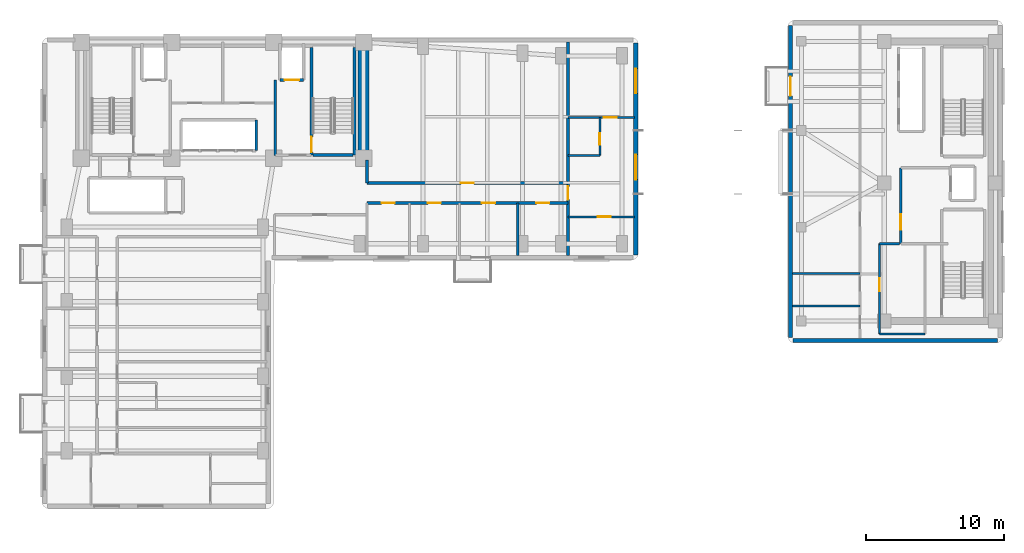
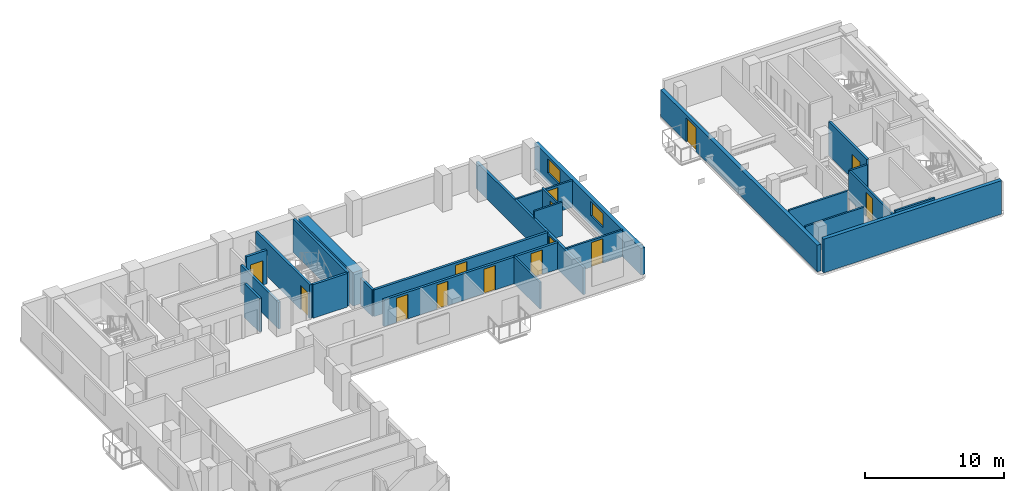
# One storey, part 6 of 11: 25 walls, 14 doors, 2 windows, 16 openings.
"""IFC4 building model written with IfcOpenShell, lengths in metres."""

import ifcopenshell
import ifcopenshell.guid

model = None  # the IFC model being written
_history = None  # IfcOwnerHistory: only IFC2X3 demands one
_inside = {}  # id of a spatial element -> (the spatial element, [elements in it])
_under = {}  # id of a project, library or spatial element -> (it, [spatial elements below it])
_declared = {}  # id of a project -> (the project, [libraries it declares])
_typed = {}  # id of a type object -> (the type object, [elements of that type])
_made_of = {}  # id of a material, layer set ... -> (it, [elements and type objects made of it])


def new_model(schema):
    """Start an empty IFC model of exactly this schema.

    Asked for "IFC4X3", IfcOpenShell would pick the latest addendum, in which some entities
    have other attributes; the version numbers below select the first issue.
    IFC2X3 requires an IfcOwnerHistory on every rooted entity: one is made here for all.
    """
    global model, _history
    if schema == "IFC4X3":
        model = ifcopenshell.file(schema_version=(4, 3, 0, 0))
    else:
        model = ifcopenshell.file(schema=schema)
    _inside.clear()
    _under.clear()
    _declared.clear()
    _typed.clear()
    _made_of.clear()
    _history = None
    if model.schema == "IFC2X3":
        org = make("IfcOrganization", Name="unknown")
        user = make(
            "IfcPersonAndOrganization",
            ThePerson=make("IfcPerson", FamilyName="unknown"),
            TheOrganization=org,
        )
        app = make(
            "IfcApplication",
            ApplicationDeveloper=org,
            Version="unknown",
            ApplicationFullName="unknown",
            ApplicationIdentifier="unknown",
        )
        _history = make(
            "IfcOwnerHistory",
            OwningUser=user,
            OwningApplication=app,
            ChangeAction="ADDED",
            CreationDate=0,
        )
    return model


def make(cls, **values):
    """One entity of the class cls with the attributes given. An attribute that is None is left unset."""
    return model.create_entity(
        cls, **{name: value for name, value in values.items() if value is not None}
    )


def rooted(cls, **values):
    """An entity with a GlobalId (a new one), such as an element, a storey or a relation."""
    return make(cls, GlobalId=ifcopenshell.guid.new(), OwnerHistory=_history, **values)


def si_unit(unit_type, name, prefix=None):
    """IfcSIUnit, for example si_unit("LENGTHUNIT", "METRE", prefix="MILLI")."""
    return make("IfcSIUnit", UnitType=unit_type, Prefix=prefix, Name=name)


def assignment(units):
    """IfcUnitAssignment: the units of a project."""
    return None if units is None else make("IfcUnitAssignment", Units=units)


def point(xyz):
    """IfcCartesianPoint."""
    return None if xyz is None else make("IfcCartesianPoint", Coordinates=xyz)


def direction(xyz):
    """IfcDirection."""
    return None if xyz is None else make("IfcDirection", DirectionRatios=xyz)


def frame(location, z_axis=None, x_axis=None):
    """IfcAxis2Placement3D, a coordinate frame: its origin and axes. An axis left out is left unset."""
    return make(
        "IfcAxis2Placement3D",
        Location=point(location),
        Axis=direction(z_axis),
        RefDirection=direction(x_axis),
    )


def frame_2d(location, x_axis=None):
    """IfcAxis2Placement2D, a coordinate frame in the plane: its origin and x axis."""
    return make(
        "IfcAxis2Placement2D", Location=point(location), RefDirection=direction(x_axis)
    )


def origin():
    """The frame at (0, 0, 0) with its axes left unset."""
    return frame((0.0, 0.0, 0.0))


def place(relative_to, where):
    """IfcLocalPlacement: puts the frame where relative to a parent placement (None: the world)."""
    return make(
        "IfcLocalPlacement", PlacementRelTo=relative_to, RelativePlacement=where
    )


def context(
    kind, dimensions, precision=None, world=None, true_north=None, identifier=None
):
    """IfcGeometricRepresentationContext, for example the 3D "Model" context."""
    return make(
        "IfcGeometricRepresentationContext",
        ContextIdentifier=identifier,
        ContextType=kind,
        CoordinateSpaceDimension=dimensions,
        Precision=precision,
        WorldCoordinateSystem=world,
        TrueNorth=true_north,
    )


def subcontext(parent, identifier, kind, view, scale=None):
    """IfcGeometricRepresentationSubContext, for example "Body" below "Model"."""
    return make(
        "IfcGeometricRepresentationSubContext",
        ContextIdentifier=identifier,
        ContextType=kind,
        ParentContext=parent,
        TargetScale=scale,
        TargetView=view,
    )


def project(units=None, contexts=None):
    """IfcProject with its units and contexts."""
    return rooted(
        "IfcProject",
        Name="project",
        RepresentationContexts=contexts,
        UnitsInContext=assignment(units),
    )


def spatial(cls, under=None, at=None, **own):
    """A site, building, storey or space (cls), placed at a placement, below another one or the project."""
    s = rooted(cls, ObjectPlacement=at, **own)
    if under is not None:
        _under.setdefault(under.id(), (under, []))[1].append(s)
    return s


def profile(cls, at=None, kind="AREA", **sizes):
    """A parametric profile (cls). Its sizes go by their IFC names, for example OverallWidth=200.0."""
    return make(cls, ProfileType=kind, Position=at, **sizes)


def rectangle(**sizes):
    """IfcRectangleProfileDef."""
    return profile("IfcRectangleProfileDef", **sizes)


def extrude(swept, where, along, depth):
    """IfcExtrudedAreaSolid: the profile swept, set in the frame where, extruded along a direction by depth."""
    return make(
        "IfcExtrudedAreaSolid",
        SweptArea=swept,
        Position=where,
        ExtrudedDirection=direction(along),
        Depth=depth,
    )


def shape(context_of_items, identifier, shape_type, items):
    """IfcShapeRepresentation: the items that make up one representation, for example the "Body"."""
    return make(
        "IfcShapeRepresentation",
        ContextOfItems=context_of_items,
        RepresentationIdentifier=identifier,
        RepresentationType=shape_type,
        Items=items,
    )


def material(Name=None, Category=None):
    """IfcMaterial."""
    return make("IfcMaterial", Name=Name, Category=Category)


def layer(
    of_material, thickness, ventilated=None, Name=None, Category=None, Priority=None
):
    """IfcMaterialLayer: one layer of a wall or slab, of a material (None: an air gap)."""
    return make(
        "IfcMaterialLayer",
        Material=of_material,
        LayerThickness=thickness,
        IsVentilated=ventilated,
        Name=Name,
        Category=Category,
        Priority=Priority,
    )


def layer_set(layers, Name=None):
    """IfcMaterialLayerSet."""
    return make("IfcMaterialLayerSet", MaterialLayers=layers, LayerSetName=Name)


def made_of(thing, what):
    """Note that an element or type object is made of a material, layer set ...; save() writes the relation."""
    if what is not None:
        _made_of.setdefault(what.id(), (what, []))[1].append(thing)
    return thing


def type_object(cls, material=None, **own):
    """A type object (cls), such as IfcWallType, which elements share."""
    return made_of(rooted(cls, **own), material)


def element(
    cls,
    number,
    at=None,
    inside=None,
    cuts=None,
    type_object=None,
    material=None,
    context=None,
    identifier="Body",
    shape_type=None,
    held_by="IfcProductDefinitionShape",
    body=None,
    shapes=None,
    **own,
):
    """One element of the class cls, such as IfcWall. Its Tag is "e" and its number.

    at: its placement. inside: the storey or other place that contains it. cuts: it is an
    opening in that element (IfcRelVoidsElement). A single representation is given by context,
    identifier, shape_type and body (its items); several are given by shapes. held_by: the class
    of the entity that holds the representations. save() writes the other relations.
    """
    e = rooted(cls, Tag="e%d" % number, ObjectPlacement=at, **own)
    if body is not None:
        shapes = [shape(context, identifier, shape_type, body)]
    if shapes is not None:
        e.Representation = make(held_by, Representations=shapes)
    if inside is not None:
        _inside.setdefault(inside.id(), (inside, []))[1].append(e)
    if cuts is not None:
        rooted(
            "IfcRelVoidsElement", RelatingBuildingElement=cuts, RelatedOpeningElement=e
        )
    if type_object is not None:
        _typed.setdefault(type_object.id(), (type_object, []))[1].append(e)
    return made_of(e, material)


def fill(opening, filler):
    """IfcRelFillsElement: the door or window that sits in an opening."""
    return rooted(
        "IfcRelFillsElement",
        RelatingOpeningElement=opening,
        RelatedBuildingElement=filler,
    )


def aggregate(whole, parts):
    """IfcRelAggregates: a whole, such as a stair, and the parts it consists of."""
    return rooted("IfcRelAggregates", RelatingObject=whole, RelatedObjects=parts)


def save(model, path):
    """Write the relations noted so far, then the file.

    IfcRelAggregates (storeys below a building ...), IfcRelContainedInSpatialStructure (elements
    in a storey), IfcRelDefinesByType, IfcRelAssociatesMaterial and IfcRelDeclares: one each for
    every whole, place, type object, material and project.
    """
    for whole, parts in _under.values():
        aggregate(whole, parts)
    for where, things in _inside.values():
        rooted(
            "IfcRelContainedInSpatialStructure",
            RelatedElements=things,
            RelatingStructure=where,
        )
    for kind, things in _typed.values():
        rooted("IfcRelDefinesByType", RelatedObjects=things, RelatingType=kind)
    for what, things in _made_of.values():
        rooted("IfcRelAssociatesMaterial", RelatedObjects=things, RelatingMaterial=what)
    for by, libraries in _declared.values():
        rooted("IfcRelDeclares", RelatingContext=by, RelatedDefinitions=libraries)
    model.write(path)


model = new_model("IFC4")

# Units and contexts
model_context = context("Model", 3, precision=1e-05, world=origin(), true_north=direction((0.0, 1.0)))
body_context = subcontext(model_context, "Body", "Model", "MODEL_VIEW")
ifc_project = project(units=[si_unit("LENGTHUNIT", "METRE"), si_unit("AREAUNIT", "SQUARE_METRE"), si_unit("VOLUMEUNIT", "CUBIC_METRE"), si_unit("PLANEANGLEUNIT", "RADIAN"), si_unit("MASSUNIT", "GRAM", prefix="KILO")], contexts=[model_context])

# Site, building, storey
site_placement = place(None, origin())
site = spatial("IfcSite", under=ifc_project, at=site_placement, CompositionType="ELEMENT")
building_placement = place(site_placement, origin())
building = spatial("IfcBuilding", under=site, at=building_placement, Name="Kuzgunbayir Cultural Tower", CompositionType="ELEMENT")
storey_placement = place(building_placement, frame((0.0, 0.0, 99.39990234375)))
storey = spatial("IfcBuildingStorey", under=building, at=storey_placement, Name="L28", CompositionType="ELEMENT", Elevation=99.39990234375)

# Wall
ifc_material_1 = material(Name="Concrete C60/75", Category="concrete")
ifc_layer_1 = layer(ifc_material_1, 0.800048828125)
ifc_layer_set_1 = layer_set([ifc_layer_1], Name="Concrete C60/75")
wall_type_1 = type_object("IfcWallType", Name="WAL-CORE-800", PredefinedType="SHEAR", material=ifc_layer_set_1)
wall_1_placement = place(storey_placement, frame((26.89990234375, 33.800048828125, 0.0), z_axis=(0.0, 0.0, 1.0), x_axis=(0.0, 1.0, 0.0)))
element("IfcWall", 1, at=wall_1_placement, inside=storey, type_object=wall_type_1, Name="L28 T1 Core East Shear Wall", PredefinedType="SHEAR", context=body_context, shape_type="SweptSolid", body=[
    extrude(rectangle(XDim=7.949951171875, YDim=0.800048828125, at=frame_2d((3.97509765625, 0.0))), origin(), (0.0, 0.0, 1.0), 2.960205078125),
])

# Wall, opening, door
ifc_material_2 = material(Name="Anatolian Cream Limestone", Category="masonry")
ifc_layer_2 = layer(ifc_material_2, 0.300048828125)
ifc_layer_set_2 = layer_set([ifc_layer_2], Name="Anatolian Cream Limestone")
wall_type_2 = type_object("IfcWallType", Name="WAL-EXT-STONE-300", PredefinedType="STANDARD", material=ifc_layer_set_2)
wall_2_placement = place(storey_placement, frame((57.800048828125, 43.39990234375, 0.0), z_axis=(0.0, 0.0, 1.0), x_axis=(0.0, -1.0, 0.0)))
wall_2 = element("IfcWall", 2, at=wall_2_placement, inside=storey, type_object=wall_type_2, Name="L28 Companion West Limestone Wall", PredefinedType="STANDARD", context=body_context, shape_type="SweptSolid", body=[
    extrude(rectangle(XDim=22.599853515625, YDim=0.300048828125, at=frame_2d((11.2998046875, 0.0))), origin(), (0.0, 0.0, 1.0), 2.35009765625),
])
opening_1_placement = place(wall_2_placement, frame((3.699951171875, 0.0, 0.0)))
opening_1 = element("IfcOpeningElement", 3, at=opening_1_placement, cuts=wall_2, Name="Opening BD-15", PredefinedType="OPENING", context=body_context, shape_type="SweptSolid", body=[
    extrude(rectangle(XDim=1.39990234375, YDim=2.10009765625, at=frame_2d((0.699951171875, 1.050048828125))), frame((0.0, 0.16015625, 0.0), z_axis=(0.0, -1.0, 0.0), x_axis=(1.0, 0.0, 0.0)), (0.0, 0.0, 1.0), 0.320068359375),
])
ifc_material_3 = material(Name="Thermally Broken Glazed Aluminium", Category="aluminium")
door_type_1 = type_object("IfcDoorType", Name="DR-BALCONY-150", OperationType="SLIDING_TO_RIGHT", PredefinedType="DOOR", material=ifc_material_3)
door_1_placement = place(opening_1_placement, origin())
door_1 = element("IfcDoor", 4, at=door_1_placement, inside=storey, type_object=door_type_1, Name="L28 Companion Balcony Door BAL-L28-T2W3", OperationType="SLIDING_TO_RIGHT", OverallHeight=2.10009765625, OverallWidth=1.39990234375, PredefinedType="DOOR", context=body_context, shape_type="SweptSolid", body=[
    extrude(rectangle(XDim=1.39990234375, YDim=2.10009765625, at=frame_2d((0.699951171875, 1.050048828125))), frame((0.0, 0.02490234375, 0.0), z_axis=(0.0, -1.0, 0.0), x_axis=(1.0, 0.0, 0.0)), (0.0, 0.0, 1.0), 0.050048828125),
])
fill(opening_1, door_1)

# Wall
wall_3_placement = place(storey_placement, frame((58.0, 20.60009765625, 0.0), z_axis=(0.0, 0.0, 1.0), x_axis=(1.0, 0.0, 0.0)))
element("IfcWall", 5, at=wall_3_placement, inside=storey, type_object=wall_type_2, Name="L28 Companion South Limestone Wall", PredefinedType="STANDARD", context=body_context, shape_type="SweptSolid", body=[
    extrude(rectangle(XDim=14.800048828125, YDim=0.300048828125, at=frame_2d((7.39990234375, 0.0))), origin(), (0.0, 0.0, 1.0), 2.960205078125),
])

# Wall, openings, windows
ifc_material_4 = material(Name="Travertine Buff Ashlar", Category="masonry")
ifc_layer_3 = layer(ifc_material_4, 0.320068359375)
ifc_layer_set_3 = layer_set([ifc_layer_3], Name="Travertine Buff Ashlar")
wall_type_3 = type_object("IfcWallType", Name="WAL-EXT-STONE-320", PredefinedType="STANDARD", material=ifc_layer_set_3)
wall_4_placement = place(storey_placement, frame((46.60009765625, 26.800048828125, 0.0), z_axis=(0.0, 0.0, 1.0), x_axis=(0.0, 1.0, 0.0)))
wall_4 = element("IfcWall", 6, at=wall_4_placement, inside=storey, type_object=wall_type_3, Name="L28 Wing B East Limestone Wall", PredefinedType="STANDARD", context=body_context, shape_type="SweptSolid", body=[
    extrude(rectangle(XDim=15.349853515625, YDim=0.320068359375, at=frame_2d((7.6748046875, 0.0))), origin(), (0.0, 0.0, 1.0), 2.35009765625),
])
opening_2_placement = place(wall_4_placement, frame((5.449951171875, 0.0, 0.85009765625)))
opening_2 = element("IfcOpeningElement", 7, at=opening_2_placement, cuts=wall_4, Name="Opening WH-18", PredefinedType="OPENING", context=body_context, shape_type="SweptSolid", body=[
    extrude(rectangle(XDim=1.800048828125, YDim=1.25, at=frame_2d((0.89990234375, 0.625))), frame((0.0, 0.169921875, 0.0), z_axis=(0.0, -1.0, 0.0), x_axis=(1.0, 0.0, 0.0)), (0.0, 0.0, 1.0), 0.340087890625),
])
opening_3_placement = place(wall_4_placement, frame((11.679931640625, 0.0, 0.85009765625)))
opening_3 = element("IfcOpeningElement", 8, at=opening_3_placement, cuts=wall_4, Name="Opening WH-18", PredefinedType="OPENING", context=body_context, shape_type="SweptSolid", body=[
    extrude(rectangle(XDim=1.800048828125, YDim=1.25, at=frame_2d((0.89990234375, 0.625))), frame((0.0, 0.169921875, 0.0), z_axis=(0.0, -1.0, 0.0), x_axis=(1.0, 0.0, 0.0)), (0.0, 0.0, 1.0), 0.340087890625),
])
ifc_material_5 = material(Name="Solar-Control Triple Glazing", Category="glass")
window_type = type_object("IfcWindowType", Name="WIN-HOTEL-18", PartitioningType="SINGLE_PANEL", PredefinedType="WINDOW", material=ifc_material_5)
window_1_placement = place(opening_2_placement, origin())
window_1 = element("IfcWindow", 9, at=window_1_placement, inside=storey, type_object=window_type, Name="L28 WBE Facade Window 4", OverallHeight=1.25, OverallWidth=1.800048828125, PartitioningType="SINGLE_PANEL", PredefinedType="WINDOW", context=body_context, shape_type="SweptSolid", body=[
    extrude(rectangle(XDim=1.800048828125, YDim=1.25, at=frame_2d((0.89990234375, 0.625))), frame((0.0, 0.030029296875, 0.0), z_axis=(0.0, -1.0, 0.0), x_axis=(1.0, 0.0, 0.0)), (0.0, 0.0, 1.0), 0.06005859375),
])
fill(opening_2, window_1)
window_2_placement = place(opening_3_placement, origin())
window_2 = element("IfcWindow", 10, at=window_2_placement, inside=storey, type_object=window_type, Name="L28 WBE Facade Window 5", OverallHeight=1.25, OverallWidth=1.800048828125, PartitioningType="SINGLE_PANEL", PredefinedType="WINDOW", context=body_context, shape_type="SweptSolid", body=[
    extrude(rectangle(XDim=1.800048828125, YDim=1.25, at=frame_2d((0.89990234375, 0.625))), frame((0.0, 0.030029296875, 0.0), z_axis=(0.0, -1.0, 0.0), x_axis=(1.0, 0.0, 0.0)), (0.0, 0.0, 1.0), 0.06005859375),
])
fill(opening_3, window_2)

# Wall, opening, door
ifc_material_6 = material(Name="Acoustic Double-Stud Drywall", Category="gypsum")
ifc_layer_4 = layer(ifc_material_6, 0.14990234375)
ifc_layer_set_4 = layer_set([ifc_layer_4], Name="Acoustic Double-Stud Drywall")
wall_type_4 = type_object("IfcWallType", Name="WAL-PART-ACOUSTIC-150", PredefinedType="PARTITIONING", material=ifc_layer_set_4)
wall_5_placement = place(storey_placement, frame((41.699951171875, 36.75, 0.0), z_axis=(0.0, 0.0, 1.0), x_axis=(1.0, 0.0, 0.0)))
wall_5 = element("IfcWall", 11, at=wall_5_placement, inside=storey, type_object=wall_type_4, Name="L28 Corner Suite Bedroom Wall", PredefinedType="PARTITIONING", context=body_context, shape_type="SweptSolid", body=[
    extrude(rectangle(XDim=4.800048828125, YDim=0.14990234375, at=frame_2d((2.39990234375, 0.0))), origin(), (0.0, 0.0, 1.0), 2.35009765625),
])
opening_4_placement = place(wall_5_placement, frame((2.590087890625, 0.0, 0.0)))
opening_4 = element("IfcOpeningElement", 12, at=opening_4_placement, cuts=wall_5, Name="Opening DI-90", PredefinedType="OPENING", context=body_context, shape_type="SweptSolid", body=[
    extrude(rectangle(XDim=0.949951171875, YDim=2.14990234375, at=frame_2d((0.47509765625, 1.074951171875))), frame((0.0, 0.0849609375, 0.0), z_axis=(0.0, -1.0, 0.0), x_axis=(1.0, 0.0, 0.0)), (0.0, 0.0, 1.0), 0.169921875),
])
ifc_material_7 = material(Name="Veneered Oak Single Leaf", Category="wood")
door_type_2 = type_object("IfcDoorType", Name="DR-INT-90", OperationType="NOTDEFINED", PredefinedType="DOOR", material=ifc_material_7)
door_2_placement = place(opening_4_placement, origin())
door_2 = element("IfcDoor", 13, at=door_2_placement, inside=storey, type_object=door_type_2, Name="L28 Corner Bedroom Door", OperationType="SINGLE_SWING_RIGHT", OverallHeight=2.14990234375, OverallWidth=0.949951171875, PredefinedType="DOOR", context=body_context, shape_type="SweptSolid", body=[
    extrude(rectangle(XDim=0.949951171875, YDim=2.14990234375, at=frame_2d((0.47509765625, 1.074951171875))), frame((0.0, 0.02490234375, 0.0), z_axis=(0.0, -1.0, 0.0), x_axis=(1.0, 0.0, 0.0)), (0.0, 0.0, 1.0), 0.050048828125),
])
fill(opening_4, door_2)

# Wall
wall_6_placement = place(storey_placement, frame((38.06005859375, 26.75, 0.0), z_axis=(0.0, 0.0, 1.0), x_axis=(0.0, 1.0, 0.0)))
element("IfcWall", 14, at=wall_6_placement, inside=storey, type_object=wall_type_4, Name="L28 Wing B South Divider 3", PredefinedType="PARTITIONING", context=body_context, shape_type="SweptSolid", body=[
    extrude(rectangle(XDim=3.800048828125, YDim=0.14990234375, at=frame_2d((1.89990234375, 0.0))), origin(), (0.0, 0.0, 1.0), 2.35009765625),
])

# Wall, opening, door
wall_7_placement = place(storey_placement, frame((64.25, 21.050048828125, 0.0), z_axis=(0.0, 0.0, 1.0), x_axis=(0.0, 1.0, 0.0)))
wall_7 = element("IfcWall", 15, at=wall_7_placement, inside=storey, type_object=wall_type_4, Name="L28 Companion Archive West Wall", PredefinedType="PARTITIONING", context=body_context, shape_type="SweptSolid", body=[
    extrude(rectangle(XDim=6.550048828125, YDim=0.14990234375, at=frame_2d((3.27490234375, 0.0))), origin(), (0.0, 0.0, 1.0), 2.5400390625),
])
opening_5_placement = place(wall_7_placement, frame((3.10009765625, 0.0, 0.0)))
opening_5 = element("IfcOpeningElement", 16, at=opening_5_placement, cuts=wall_7, Name="Opening DI-90", PredefinedType="OPENING", context=body_context, shape_type="SweptSolid", body=[
    extrude(rectangle(XDim=0.949951171875, YDim=2.14990234375, at=frame_2d((0.47509765625, 1.074951171875))), frame((0.0, 0.0849609375, 0.0), z_axis=(0.0, -1.0, 0.0), x_axis=(1.0, 0.0, 0.0)), (0.0, 0.0, 1.0), 0.169921875),
])
door_3_placement = place(opening_5_placement, origin())
door_3 = element("IfcDoor", 17, at=door_3_placement, inside=storey, type_object=door_type_2, Name="L28 Companion Archive Door", OperationType="SINGLE_SWING_RIGHT", OverallHeight=2.14990234375, OverallWidth=0.949951171875, PredefinedType="DOOR", context=body_context, shape_type="SweptSolid", body=[
    extrude(rectangle(XDim=0.949951171875, YDim=2.14990234375, at=frame_2d((0.47509765625, 1.074951171875))), frame((0.0, 0.02490234375, 0.0), z_axis=(0.0, -1.0, 0.0), x_axis=(1.0, 0.0, 0.0)), (0.0, 0.0, 1.0), 0.050048828125),
])
fill(opening_5, door_3)

# Walls
wall_8_placement = place(storey_placement, frame((64.25, 21.050048828125, 0.0), z_axis=(0.0, 0.0, 1.0), x_axis=(1.0, 0.0, 0.0)))
element("IfcWall", 18, at=wall_8_placement, inside=storey, type_object=wall_type_4, Name="L28 Companion Archive South Wall", PredefinedType="PARTITIONING", context=body_context, shape_type="SweptSolid", body=[
    extrude(rectangle(XDim=3.300048828125, YDim=0.14990234375, at=frame_2d((1.64990234375, 0.0))), origin(), (0.0, 0.0, 1.0), 2.960205078125),
])
wall_9_placement = place(storey_placement, frame((64.25, 27.60009765625, 0.0), z_axis=(0.0, 0.0, 1.0), x_axis=(1.0, 0.0, 0.0)))
element("IfcWall", 19, at=wall_9_placement, inside=storey, type_object=wall_type_4, Name="L28 Companion Archive North Wall", PredefinedType="PARTITIONING", context=body_context, shape_type="SweptSolid", body=[
    extrude(rectangle(XDim=1.469970703125, YDim=0.14990234375, at=frame_2d((0.73486328125, 0.0))), origin(), (0.0, 0.0, 1.0), 2.5400390625),
])
ifc_material_8 = material(Name="Aerated Concrete Blockwork", Category="masonry")
ifc_layer_5 = layer(ifc_material_8, 0.199951171875)
ifc_layer_set_5 = layer_set([ifc_layer_5], Name="Aerated Concrete Blockwork")
wall_type_5 = type_object("IfcWallType", Name="WAL-PART-FIRE-200", PredefinedType="PARTITIONING", material=ifc_layer_set_5)
wall_10_placement = place(storey_placement, frame((20.5, 34.0, 0.0), z_axis=(0.0, 0.0, 1.0), x_axis=(0.0, 1.0, 0.0)))
element("IfcWall", 20, at=wall_10_placement, inside=storey, type_object=wall_type_5, Name="L28 FFL-2 Lobby West Fire Wall", PredefinedType="PARTITIONING", context=body_context, shape_type="SweptSolid", body=[
    extrude(rectangle(XDim=5.449951171875, YDim=0.199951171875, at=frame_2d((2.72509765625, 0.0))), origin(), (0.0, 0.0, 1.0), 2.35009765625),
])

# Wall, opening, door
wall_11_placement = place(storey_placement, frame((65.800048828125, 27.60009765625, 0.0), z_axis=(0.0, 0.0, 1.0), x_axis=(0.0, 1.0, 0.0)))
wall_11 = element("IfcWall", 21, at=wall_11_placement, inside=storey, type_object=wall_type_5, Name="L28 FFL-3 Lobby West Fire Wall", PredefinedType="PARTITIONING", context=body_context, shape_type="SweptSolid", body=[
    extrude(rectangle(XDim=5.5, YDim=0.199951171875, at=frame_2d((2.75, 0.0))), origin(), (0.0, 0.0, 1.0), 2.960205078125),
])
opening_6_placement = place(wall_11_placement, frame((1.0, 0.0, 0.0)))
opening_6 = element("IfcOpeningElement", 22, at=opening_6_placement, cuts=wall_11, Name="Opening DR-FFL-90", PredefinedType="OPENING", context=body_context, shape_type="SweptSolid", body=[
    extrude(rectangle(XDim=1.14990234375, YDim=2.14990234375, at=frame_2d((0.574951171875, 1.074951171875))), frame((0.0, 0.10986328125, 0.0), z_axis=(0.0, -1.0, 0.0), x_axis=(1.0, 0.0, 0.0)), (0.0, 0.0, 1.0), 0.219970703125),
])
ifc_material_9 = material(Name="Steel S355J2", Category="steel")
door_type_3 = type_object("IfcDoorType", Name="DR-FFL-90", OperationType="NOTDEFINED", PredefinedType="DOOR", material=ifc_material_9)
door_4_placement = place(opening_6_placement, origin())
door_4 = element("IfcDoor", 23, at=door_4_placement, inside=storey, type_object=door_type_3, Name="L28 Firefighting Lobby 3 Door", OperationType="SINGLE_SWING_LEFT", OverallHeight=2.14990234375, OverallWidth=1.14990234375, PredefinedType="DOOR", context=body_context, shape_type="SweptSolid", body=[
    extrude(rectangle(XDim=1.14990234375, YDim=2.14990234375, at=frame_2d((0.574951171875, 1.074951171875))), frame((0.0, 0.02490234375, 0.0), z_axis=(0.0, -1.0, 0.0), x_axis=(1.0, 0.0, 0.0)), (0.0, 0.0, 1.0), 0.050048828125),
])
fill(opening_6, door_4)

# Wall, openings, doors
wall_12_placement = place(storey_placement, frame((27.14990234375, 30.550048828125, 0.0), z_axis=(0.0, 0.0, 1.0), x_axis=(1.0, 0.0, 0.0)))
wall_12 = element("IfcWall", 24, at=wall_12_placement, inside=storey, type_object=wall_type_5, Name="L28 Wing B Hotel Corridor South Wall", PredefinedType="PARTITIONING", context=body_context, shape_type="SweptSolid", body=[
    extrude(rectangle(XDim=14.550048828125, YDim=0.199951171875, at=frame_2d((7.27490234375, 0.0))), origin(), (0.0, 0.0, 1.0), 2.35009765625),
])
opening_7_placement = place(wall_12_placement, frame((1.050048828125, 0.0, 0.0)))
opening_7 = element("IfcOpeningElement", 25, at=opening_7_placement, cuts=wall_12, Name="Opening DI-90", PredefinedType="OPENING", context=body_context, shape_type="SweptSolid", body=[
    extrude(rectangle(XDim=0.949951171875, YDim=2.14990234375, at=frame_2d((0.47509765625, 1.074951171875))), frame((0.0, 0.10986328125, 0.0), z_axis=(0.0, -1.0, 0.0), x_axis=(1.0, 0.0, 0.0)), (0.0, 0.0, 1.0), 0.219970703125),
])
opening_8_placement = place(wall_12_placement, frame((4.39990234375, 0.0, 0.0)))
opening_8 = element("IfcOpeningElement", 26, at=opening_8_placement, cuts=wall_12, Name="Opening DI-90", PredefinedType="OPENING", context=body_context, shape_type="SweptSolid", body=[
    extrude(rectangle(XDim=0.949951171875, YDim=2.14990234375, at=frame_2d((0.47509765625, 1.074951171875))), frame((0.0, 0.10986328125, 0.0), z_axis=(0.0, -1.0, 0.0), x_axis=(1.0, 0.0, 0.0)), (0.0, 0.0, 1.0), 0.219970703125),
])
opening_9_placement = place(wall_12_placement, frame((8.320068359375, 0.0, 0.0)))
opening_9 = element("IfcOpeningElement", 27, at=opening_9_placement, cuts=wall_12, Name="Opening DI-90", PredefinedType="OPENING", context=body_context, shape_type="SweptSolid", body=[
    extrude(rectangle(XDim=0.949951171875, YDim=2.14990234375, at=frame_2d((0.47509765625, 1.074951171875))), frame((0.0, 0.10986328125, 0.0), z_axis=(0.0, -1.0, 0.0), x_axis=(1.0, 0.0, 0.0)), (0.0, 0.0, 1.0), 0.219970703125),
])
opening_10_placement = place(wall_12_placement, frame((12.25, 0.0, 0.0)))
opening_10 = element("IfcOpeningElement", 28, at=opening_10_placement, cuts=wall_12, Name="Opening DI-90", PredefinedType="OPENING", context=body_context, shape_type="SweptSolid", body=[
    extrude(rectangle(XDim=0.949951171875, YDim=2.14990234375, at=frame_2d((0.47509765625, 1.074951171875))), frame((0.0, 0.10986328125, 0.0), z_axis=(0.0, -1.0, 0.0), x_axis=(1.0, 0.0, 0.0)), (0.0, 0.0, 1.0), 0.219970703125),
])
door_5_placement = place(opening_7_placement, origin())
door_5 = element("IfcDoor", 29, at=door_5_placement, inside=storey, type_object=door_type_2, Name="L28 Culinary Tasting Pantry B1 Door", OperationType="SINGLE_SWING_LEFT", OverallHeight=2.14990234375, OverallWidth=0.949951171875, PredefinedType="DOOR", context=body_context, shape_type="SweptSolid", body=[
    extrude(rectangle(XDim=0.949951171875, YDim=2.14990234375, at=frame_2d((0.47509765625, 1.074951171875))), frame((0.0, 0.02490234375, 0.0), z_axis=(0.0, -1.0, 0.0), x_axis=(1.0, 0.0, 0.0)), (0.0, 0.0, 1.0), 0.050048828125),
])
fill(opening_7, door_5)
door_6_placement = place(opening_8_placement, origin())
door_6 = element("IfcDoor", 30, at=door_6_placement, inside=storey, type_object=door_type_2, Name="L28 Culinary Tasting Pantry B2 Door", OperationType="SINGLE_SWING_RIGHT", OverallHeight=2.14990234375, OverallWidth=0.949951171875, PredefinedType="DOOR", context=body_context, shape_type="SweptSolid", body=[
    extrude(rectangle(XDim=0.949951171875, YDim=2.14990234375, at=frame_2d((0.47509765625, 1.074951171875))), frame((0.0, 0.02490234375, 0.0), z_axis=(0.0, -1.0, 0.0), x_axis=(1.0, 0.0, 0.0)), (0.0, 0.0, 1.0), 0.050048828125),
])
fill(opening_8, door_6)
door_7_placement = place(opening_9_placement, origin())
door_7 = element("IfcDoor", 31, at=door_7_placement, inside=storey, type_object=door_type_2, Name="L28 Culinary Tasting Pantry B3 Door", OperationType="SINGLE_SWING_LEFT", OverallHeight=2.14990234375, OverallWidth=0.949951171875, PredefinedType="DOOR", context=body_context, shape_type="SweptSolid", body=[
    extrude(rectangle(XDim=0.949951171875, YDim=2.14990234375, at=frame_2d((0.47509765625, 1.074951171875))), frame((0.0, 0.02490234375, 0.0), z_axis=(0.0, -1.0, 0.0), x_axis=(1.0, 0.0, 0.0)), (0.0, 0.0, 1.0), 0.050048828125),
])
fill(opening_9, door_7)
door_8_placement = place(opening_10_placement, origin())
door_8 = element("IfcDoor", 32, at=door_8_placement, inside=storey, type_object=door_type_2, Name="L28 Culinary Tasting Pantry B4 Door", OperationType="SINGLE_SWING_RIGHT", OverallHeight=2.14990234375, OverallWidth=0.949951171875, PredefinedType="DOOR", context=body_context, shape_type="SweptSolid", body=[
    extrude(rectangle(XDim=0.949951171875, YDim=2.14990234375, at=frame_2d((0.47509765625, 1.074951171875))), frame((0.0, 0.02490234375, 0.0), z_axis=(0.0, -1.0, 0.0), x_axis=(1.0, 0.0, 0.0)), (0.0, 0.0, 1.0), 0.050048828125),
])
fill(opening_10, door_8)

# Wall, opening, door
wall_13_placement = place(storey_placement, frame((27.14990234375, 32.0, 0.0), z_axis=(0.0, 0.0, 1.0), x_axis=(1.0, 0.0, 0.0)))
wall_13 = element("IfcWall", 33, at=wall_13_placement, inside=storey, type_object=wall_type_5, Name="L28 Wing B Hotel Corridor North Wall", PredefinedType="PARTITIONING", context=body_context, shape_type="SweptSolid", body=[
    extrude(rectangle(XDim=14.550048828125, YDim=0.199951171875, at=frame_2d((7.27490234375, 0.0))), origin(), (0.0, 0.0, 1.0), 2.35009765625),
])
opening_11_placement = place(wall_13_placement, frame((6.7900390625, 0.0, 0.0)))
opening_11 = element("IfcOpeningElement", 34, at=opening_11_placement, cuts=wall_13, Name="Opening DI-90", PredefinedType="OPENING", context=body_context, shape_type="SweptSolid", body=[
    extrude(rectangle(XDim=0.949951171875, YDim=2.14990234375, at=frame_2d((0.47509765625, 1.074951171875))), frame((0.0, 0.10986328125, 0.0), z_axis=(0.0, -1.0, 0.0), x_axis=(1.0, 0.0, 0.0)), (0.0, 0.0, 1.0), 0.219970703125),
])
door_9_placement = place(opening_11_placement, origin())
door_9 = element("IfcDoor", 35, at=door_9_placement, inside=storey, type_object=door_type_2, Name="L28 North Culinary Tasting Pantry 1 Door", OperationType="SINGLE_SWING_LEFT", OverallHeight=2.14990234375, OverallWidth=0.949951171875, PredefinedType="DOOR", context=body_context, shape_type="SweptSolid", body=[
    extrude(rectangle(XDim=0.949951171875, YDim=2.14990234375, at=frame_2d((0.47509765625, 1.074951171875))), frame((0.0, 0.02490234375, 0.0), z_axis=(0.0, -1.0, 0.0), x_axis=(1.0, 0.0, 0.0)), (0.0, 0.0, 1.0), 0.050048828125),
])
fill(opening_11, door_9)

# Wall
wall_14_placement = place(storey_placement, frame((27.14990234375, 32.0, 0.0), z_axis=(0.0, 0.0, 1.0), x_axis=(0.0, 1.0, 0.0)))
element("IfcWall", 36, at=wall_14_placement, inside=storey, type_object=wall_type_5, Name="L28 Wing B North Core Closure Wall", PredefinedType="PARTITIONING", context=body_context, shape_type="SweptSolid", body=[
    extrude(rectangle(XDim=1.679931640625, YDim=0.199951171875, at=frame_2d((0.83984375, 0.0))), origin(), (0.0, 0.0, 1.0), 2.35009765625),
])

# Wall, opening, door
wall_15_placement = place(storey_placement, frame((41.699951171875, 26.75, 0.0), z_axis=(0.0, 0.0, 1.0), x_axis=(0.0, 1.0, 0.0)))
wall_15 = element("IfcWall", 37, at=wall_15_placement, inside=storey, type_object=wall_type_5, Name="L28 Wing B East Suite Wall", PredefinedType="PARTITIONING", context=body_context, shape_type="SweptSolid", body=[
    extrude(rectangle(XDim=15.449951171875, YDim=0.199951171875, at=frame_2d((7.72509765625, 0.0))), origin(), (0.0, 0.0, 1.0), 2.35009765625),
])
opening_12_placement = place(wall_15_placement, frame((4.050048828125, 0.0, 0.0)))
opening_12 = element("IfcOpeningElement", 38, at=opening_12_placement, cuts=wall_15, Name="Opening DR-APT-60", PredefinedType="OPENING", context=body_context, shape_type="SweptSolid", body=[
    extrude(rectangle(XDim=0.949951171875, YDim=2.14990234375, at=frame_2d((0.47509765625, 1.074951171875))), frame((0.0, 0.10986328125, 0.0), z_axis=(0.0, -1.0, 0.0), x_axis=(1.0, 0.0, 0.0)), (0.0, 0.0, 1.0), 0.219970703125),
])
ifc_material_10 = material(Name="Acoustic Fire Timber Leaf", Category="wood")
door_type_4 = type_object("IfcDoorType", Name="DR-APT-60", OperationType="NOTDEFINED", PredefinedType="DOOR", material=ifc_material_10)
door_10_placement = place(opening_12_placement, origin())
door_10 = element("IfcDoor", 39, at=door_10_placement, inside=storey, type_object=door_type_4, Name="L28 Corner Suite Entrance", OperationType="SINGLE_SWING_LEFT", OverallHeight=2.14990234375, OverallWidth=0.949951171875, PredefinedType="DOOR", context=body_context, shape_type="SweptSolid", body=[
    extrude(rectangle(XDim=0.949951171875, YDim=2.14990234375, at=frame_2d((0.47509765625, 1.074951171875))), frame((0.0, 0.02490234375, 0.0), z_axis=(0.0, -1.0, 0.0), x_axis=(1.0, 0.0, 0.0)), (0.0, 0.0, 1.0), 0.050048828125),
])
fill(opening_12, door_10)

ifc_material_11 = material(Name="Moisture-Resistant Tile Partition", Category="gypsum")
ifc_layer_6 = layer(ifc_material_11, 0.14990234375)
ifc_layer_set_6 = layer_set([ifc_layer_6], Name="Moisture-Resistant Tile Partition")
wall_type_6 = type_object("IfcWallType", Name="WAL-PART-WET-150", PredefinedType="PARTITIONING", material=ifc_layer_set_6)
wall_16_placement = place(storey_placement, frame((41.699951171875, 29.550048828125, 0.0), z_axis=(0.0, 0.0, 1.0), x_axis=(1.0, 0.0, 0.0)))
wall_16 = element("IfcWall", 40, at=wall_16_placement, inside=storey, type_object=wall_type_6, Name="L28 Corner Suite Kitchen Wall", PredefinedType="PARTITIONING", context=body_context, shape_type="SweptSolid", body=[
    extrude(rectangle(XDim=4.800048828125, YDim=0.14990234375, at=frame_2d((2.39990234375, 0.0))), origin(), (0.0, 0.0, 1.0), 2.35009765625),
])
opening_13_placement = place(wall_16_placement, frame((2.159912109375, 0.0, 0.0)))
opening_13 = element("IfcOpeningElement", 41, at=opening_13_placement, cuts=wall_16, Name="Opening DI-90", PredefinedType="OPENING", context=body_context, shape_type="SweptSolid", body=[
    extrude(rectangle(XDim=0.949951171875, YDim=2.14990234375, at=frame_2d((0.47509765625, 1.074951171875))), frame((0.0, 0.0849609375, 0.0), z_axis=(0.0, -1.0, 0.0), x_axis=(1.0, 0.0, 0.0)), (0.0, 0.0, 1.0), 0.169921875),
])
door_11_placement = place(opening_13_placement, origin())
door_11 = element("IfcDoor", 42, at=door_11_placement, inside=storey, type_object=door_type_2, Name="L28 Corner Suite Kitchen Door", OperationType="SINGLE_SWING_RIGHT", OverallHeight=2.14990234375, OverallWidth=0.949951171875, PredefinedType="DOOR", context=body_context, shape_type="SweptSolid", body=[
    extrude(rectangle(XDim=0.949951171875, YDim=2.14990234375, at=frame_2d((0.47509765625, 1.074951171875))), frame((0.0, 0.02490234375, 0.0), z_axis=(0.0, -1.0, 0.0), x_axis=(1.0, 0.0, 0.0)), (0.0, 0.0, 1.0), 0.050048828125),
])
fill(opening_13, door_11)

# Wall
wall_17_placement = place(storey_placement, frame((41.699951171875, 34.0, 0.0), z_axis=(0.0, 0.0, 1.0), x_axis=(1.0, 0.0, 0.0)))
element("IfcWall", 43, at=wall_17_placement, inside=storey, type_object=wall_type_6, Name="L28 Corner Suite Bath South Wall", PredefinedType="PARTITIONING", context=body_context, shape_type="SweptSolid", body=[
    extrude(rectangle(XDim=2.300048828125, YDim=0.14990234375, at=frame_2d((1.14990234375, 0.0))), origin(), (0.0, 0.0, 1.0), 2.960205078125),
])

# Wall, opening, door
wall_18_placement = place(storey_placement, frame((44.0, 34.0, 0.0), z_axis=(0.0, 0.0, 1.0), x_axis=(0.0, 1.0, 0.0)))
wall_18 = element("IfcWall", 44, at=wall_18_placement, inside=storey, type_object=wall_type_6, Name="L28 Corner Suite Bath East Wall", PredefinedType="PARTITIONING", context=body_context, shape_type="SweptSolid", body=[
    extrude(rectangle(XDim=2.75, YDim=0.14990234375, at=frame_2d((1.375, 0.0))), origin(), (0.0, 0.0, 1.0), 2.5400390625),
])
opening_14_placement = place(wall_18_placement, frame((0.75, 0.0, 0.0)))
opening_14 = element("IfcOpeningElement", 45, at=opening_14_placement, cuts=wall_18, Name="Opening DW-85", PredefinedType="OPENING", context=body_context, shape_type="SweptSolid", body=[
    extrude(rectangle(XDim=0.85009765625, YDim=2.10009765625, at=frame_2d((0.425048828125, 1.050048828125))), frame((0.0, 0.0849609375, 0.0), z_axis=(0.0, -1.0, 0.0), x_axis=(1.0, 0.0, 0.0)), (0.0, 0.0, 1.0), 0.169921875),
])
ifc_material_12 = material(Name="Laminate Moisture-Resistant Leaf", Category="wood")
door_type_5 = type_object("IfcDoorType", Name="DR-WET-85", OperationType="NOTDEFINED", PredefinedType="DOOR", material=ifc_material_12)
door_12_placement = place(opening_14_placement, origin())
door_12 = element("IfcDoor", 46, at=door_12_placement, inside=storey, type_object=door_type_5, Name="L28 Corner Suite Bathroom Door", OperationType="SINGLE_SWING_LEFT", OverallHeight=2.10009765625, OverallWidth=0.85009765625, PredefinedType="DOOR", context=body_context, shape_type="SweptSolid", body=[
    extrude(rectangle(XDim=0.85009765625, YDim=2.10009765625, at=frame_2d((0.425048828125, 1.050048828125))), frame((0.0, 0.02490234375, 0.0), z_axis=(0.0, -1.0, 0.0), x_axis=(1.0, 0.0, 0.0)), (0.0, 0.0, 1.0), 0.050048828125),
])
fill(opening_14, door_12)

# Walls
for number, where, z_axis, x_axis, name in (
    (47, (57.949951171875, 23.10009765625, 0.0), (0.0, 0.0, 1.0), (1.0, 0.0, 0.0), "L28 Companion WC North Wall"),
    (48, (57.949951171875, 25.449951171875, 0.0), (0.0, 0.0, 1.0), (1.0, 0.0, 0.0), "L28 Companion Accessible WC Wall"),
):
    element("IfcWall", number, at=place(storey_placement, frame(where, z_axis=z_axis, x_axis=x_axis)), inside=storey, type_object=wall_type_6, Name=name, PredefinedType="PARTITIONING", context=body_context, shape_type="SweptSolid", body=[
        extrude(rectangle(XDim=4.900146484375, YDim=0.14990234375, at=frame_2d((2.4501953125, 0.0))), origin(), (0.0, 0.0, 1.0), 2.5400390625),
    ])

# Wall, opening, door
ifc_material_13 = material(Name="Concrete C40/50", Category="concrete")
ifc_layer_7 = layer(ifc_material_13, 0.199951171875)
ifc_layer_set_7 = layer_set([ifc_layer_7], Name="Concrete C40/50")
wall_type_7 = type_object("IfcWallType", Name="WAL-SHAFT-200", PredefinedType="MOVABLE", material=ifc_layer_set_7)
wall_19_placement = place(storey_placement, frame((20.85009765625, 39.449951171875, 0.0), z_axis=(0.0, 0.0, 1.0), x_axis=(1.0, 0.0, 0.0)))
wall_19 = element("IfcWall", 49, at=wall_19_placement, inside=storey, type_object=wall_type_7, Name="L28 FFL-2 Lift Front Wall", PredefinedType="MOVABLE", context=body_context, shape_type="SweptSolid", body=[
    extrude(rectangle(XDim=1.699951171875, YDim=0.199951171875, at=frame_2d((0.85009765625, 0.0))), origin(), (0.0, 0.0, 1.0), 2.960205078125),
])
opening_15_placement = place(wall_19_placement, frame((0.320068359375, 0.0, 0.0)))
opening_15 = element("IfcOpeningElement", 50, at=opening_15_placement, cuts=wall_19, Name="Opening LD", PredefinedType="OPENING", context=body_context, shape_type="SweptSolid", body=[
    extrude(rectangle(XDim=1.050048828125, YDim=2.14990234375, at=frame_2d((0.52490234375, 1.074951171875))), frame((0.0, 0.10986328125, 0.0), z_axis=(0.0, -1.0, 0.0), x_axis=(1.0, 0.0, 0.0)), (0.0, 0.0, 1.0), 0.219970703125),
])
ifc_material_14 = material(Name="Brushed Stainless Steel", Category="steel")
door_type_6 = type_object("IfcDoorType", Name="DR-LIFT-LANDING", OperationType="SLIDING_TO_LEFT", PredefinedType="DOOR", material=ifc_material_14)
door_13_placement = place(opening_15_placement, origin())
door_13 = element("IfcDoor", 51, at=door_13_placement, inside=storey, type_object=door_type_6, Name="L28 Lift FFL-2 Landing Door", OperationType="SLIDING_TO_LEFT", OverallHeight=2.14990234375, OverallWidth=1.050048828125, PredefinedType="DOOR", context=body_context, shape_type="SweptSolid", body=[
    extrude(rectangle(XDim=1.050048828125, YDim=2.14990234375, at=frame_2d((0.52490234375, 1.074951171875))), frame((0.0, 0.02490234375, 0.0), z_axis=(0.0, -1.0, 0.0), x_axis=(1.0, 0.0, 0.0)), (0.0, 0.0, 1.0), 0.050048828125),
])
fill(opening_15, door_13)

# Wall
wall_20_placement = place(storey_placement, frame((19.1201171875, 34.35009765625, 0.0), z_axis=(0.0, 0.0, 1.0), x_axis=(0.0, 1.0, 0.0)))
element("IfcWall", 52, at=wall_20_placement, inside=storey, type_object=wall_type_7, Name="L28 Mid-Rise Lift Shaft East Wall", PredefinedType="MOVABLE", context=body_context, shape_type="SweptSolid", body=[
    extrude(rectangle(XDim=2.199951171875, YDim=0.199951171875, at=frame_2d((1.10009765625, 0.0))), origin(), (0.0, 0.0, 1.0), 2.960205078125),
])

# Wall, opening, door
ifc_layer_8 = layer(ifc_material_13, 0.199951171875)
ifc_layer_set_8 = layer_set([ifc_layer_8], Name="Concrete C40/50")
wall_type_8 = type_object("IfcWallType", Name="WAL-STAIR-RC-200", PredefinedType="SHEAR", material=ifc_layer_set_8)
wall_21_placement = place(storey_placement, frame((23.1201171875, 34.02001953125, 0.0), z_axis=(0.0, 0.0, 1.0), x_axis=(0.0, 1.0, 0.0)))
wall_21 = element("IfcWall", 53, at=wall_21_placement, inside=storey, type_object=wall_type_8, Name="L28 Stair ST-2 West Structural Wall", PredefinedType="SHEAR", context=body_context, shape_type="SweptSolid", body=[
    extrude(rectangle(XDim=7.780029296875, YDim=0.199951171875, at=frame_2d((3.89013671875, 0.0))), origin(), (0.0, 0.0, 1.0), 2.960205078125),
])
opening_16_placement = place(wall_21_placement, frame((0.219970703125, 0.0, 0.0)))
opening_16 = element("IfcOpeningElement", 54, at=opening_16_placement, cuts=wall_21, Name="Opening DR-STAIR-90", PredefinedType="OPENING", context=body_context, shape_type="SweptSolid", body=[
    extrude(rectangle(XDim=1.10009765625, YDim=2.14990234375, at=frame_2d((0.550048828125, 1.074951171875))), frame((0.0, 0.10986328125, 0.0), z_axis=(0.0, -1.0, 0.0), x_axis=(1.0, 0.0, 0.0)), (0.0, 0.0, 1.0), 0.219970703125),
])
door_type_7 = type_object("IfcDoorType", Name="DR-STAIR-90", OperationType="NOTDEFINED", PredefinedType="DOOR", material=ifc_material_9)
door_14_placement = place(opening_16_placement, origin())
door_14 = element("IfcDoor", 55, at=door_14_placement, inside=storey, type_object=door_type_7, Name="L28 Stair ST-2 Fire Door", OperationType="SINGLE_SWING_RIGHT", OverallHeight=2.14990234375, OverallWidth=1.10009765625, PredefinedType="DOOR", context=body_context, shape_type="SweptSolid", body=[
    extrude(rectangle(XDim=1.10009765625, YDim=2.14990234375, at=frame_2d((0.550048828125, 1.074951171875))), frame((0.0, 0.02490234375, 0.0), z_axis=(0.0, -1.0, 0.0), x_axis=(1.0, 0.0, 0.0)), (0.0, 0.0, 1.0), 0.050048828125),
])
fill(opening_16, door_14)

# Walls
wall_22_placement = place(storey_placement, frame((26.239990234375, 34.02001953125, 0.0), z_axis=(0.0, 0.0, 1.0), x_axis=(0.0, 1.0, 0.0)))
element("IfcWall", 56, at=wall_22_placement, inside=storey, type_object=wall_type_8, Name="L28 Stair ST-2 East Structural Wall", PredefinedType="SHEAR", context=body_context, shape_type="SweptSolid", body=[
    extrude(rectangle(XDim=7.780029296875, YDim=0.199951171875, at=frame_2d((3.89013671875, 0.0))), origin(), (0.0, 0.0, 1.0), 2.960205078125),
])
wall_23_placement = place(storey_placement, frame((23.239990234375, 34.02001953125, 0.0), z_axis=(0.0, 0.0, 1.0), x_axis=(1.0, 0.0, 0.0)))
element("IfcWall", 57, at=wall_23_placement, inside=storey, type_object=wall_type_8, Name="L28 Stair ST-2 South Structural Wall", PredefinedType="SHEAR", context=body_context, shape_type="SweptSolid", body=[
    extrude(rectangle(XDim=2.880126953125, YDim=0.199951171875, at=frame_2d((1.43994140625, 0.0))), origin(), (0.0, 0.0, 1.0), 2.960205078125),
])

save(model, "model.ifc")
